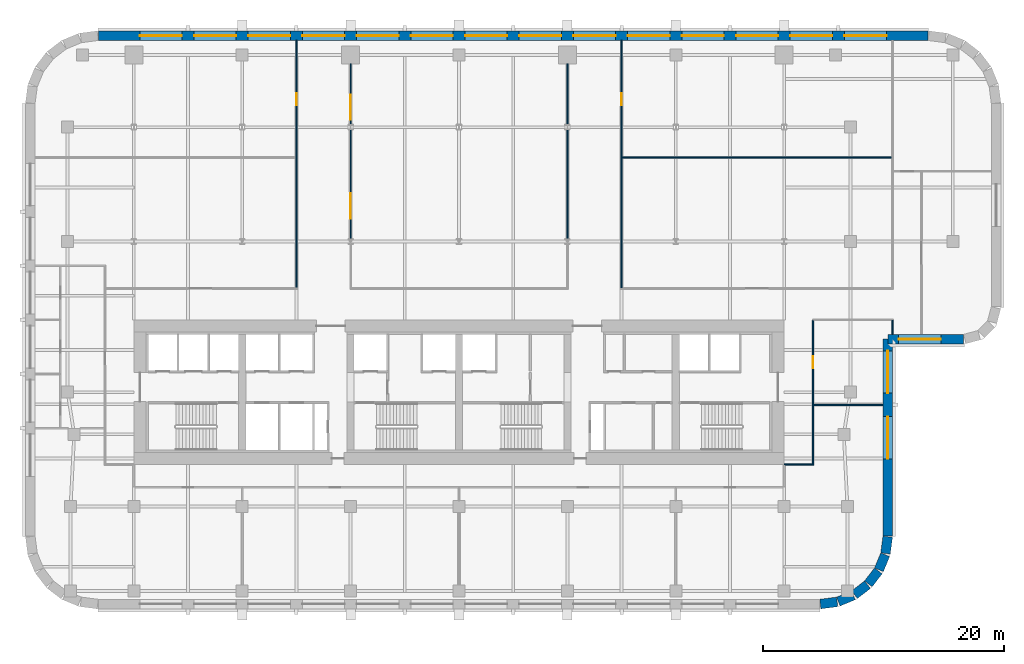
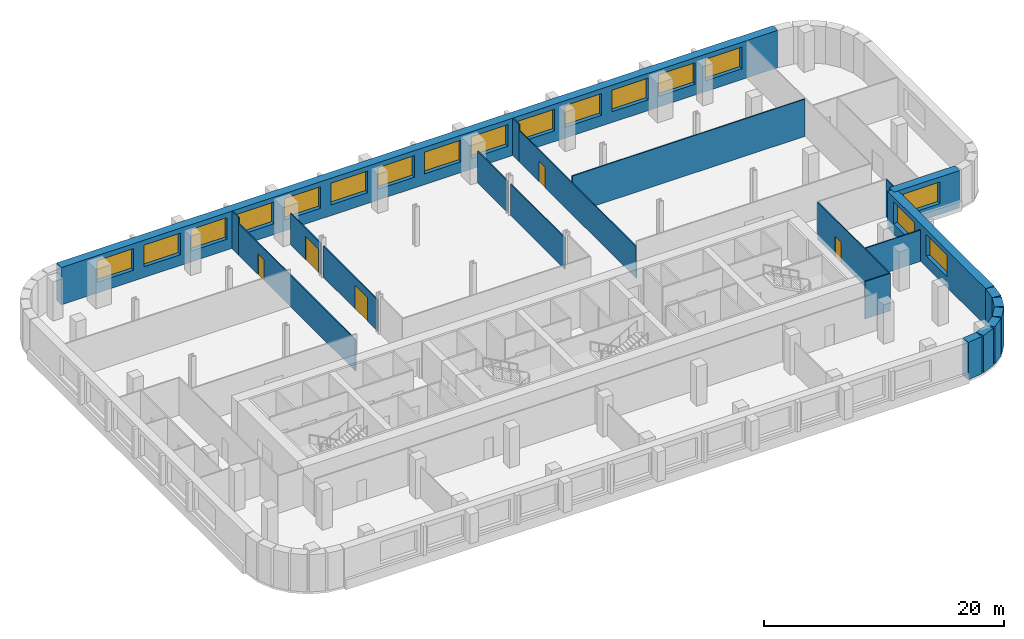
# One storey, part 6 of 9: 22 walls, 17 windows, 5 doors, 22 openings.
"""IFC4 building model written with IfcOpenShell, lengths in metres."""

import ifcopenshell
import ifcopenshell.guid

model = None  # the IFC model being written
_history = None  # IfcOwnerHistory: only IFC2X3 demands one
_inside = {}  # id of a spatial element -> (the spatial element, [elements in it])
_under = {}  # id of a project, library or spatial element -> (it, [spatial elements below it])
_declared = {}  # id of a project -> (the project, [libraries it declares])
_typed = {}  # id of a type object -> (the type object, [elements of that type])
_made_of = {}  # id of a material, layer set ... -> (it, [elements and type objects made of it])


def new_model(schema):
    """Start an empty IFC model of exactly this schema.

    Asked for "IFC4X3", IfcOpenShell would pick the latest addendum, in which some entities
    have other attributes; the version numbers below select the first issue.
    IFC2X3 requires an IfcOwnerHistory on every rooted entity: one is made here for all.
    """
    global model, _history
    if schema == "IFC4X3":
        model = ifcopenshell.file(schema_version=(4, 3, 0, 0))
    else:
        model = ifcopenshell.file(schema=schema)
    _inside.clear()
    _under.clear()
    _declared.clear()
    _typed.clear()
    _made_of.clear()
    _history = None
    if model.schema == "IFC2X3":
        org = make("IfcOrganization", Name="unknown")
        user = make(
            "IfcPersonAndOrganization",
            ThePerson=make("IfcPerson", FamilyName="unknown"),
            TheOrganization=org,
        )
        app = make(
            "IfcApplication",
            ApplicationDeveloper=org,
            Version="unknown",
            ApplicationFullName="unknown",
            ApplicationIdentifier="unknown",
        )
        _history = make(
            "IfcOwnerHistory",
            OwningUser=user,
            OwningApplication=app,
            ChangeAction="ADDED",
            CreationDate=0,
        )
    return model


def make(cls, **values):
    """One entity of the class cls with the attributes given. An attribute that is None is left unset."""
    return model.create_entity(
        cls, **{name: value for name, value in values.items() if value is not None}
    )


def rooted(cls, **values):
    """An entity with a GlobalId (a new one), such as an element, a storey or a relation."""
    return make(cls, GlobalId=ifcopenshell.guid.new(), OwnerHistory=_history, **values)


def si_unit(unit_type, name, prefix=None):
    """IfcSIUnit, for example si_unit("LENGTHUNIT", "METRE", prefix="MILLI")."""
    return make("IfcSIUnit", UnitType=unit_type, Prefix=prefix, Name=name)


def assignment(units):
    """IfcUnitAssignment: the units of a project."""
    return None if units is None else make("IfcUnitAssignment", Units=units)


def point(xyz):
    """IfcCartesianPoint."""
    return None if xyz is None else make("IfcCartesianPoint", Coordinates=xyz)


def direction(xyz):
    """IfcDirection."""
    return None if xyz is None else make("IfcDirection", DirectionRatios=xyz)


def frame(location, z_axis=None, x_axis=None):
    """IfcAxis2Placement3D, a coordinate frame: its origin and axes. An axis left out is left unset."""
    return make(
        "IfcAxis2Placement3D",
        Location=point(location),
        Axis=direction(z_axis),
        RefDirection=direction(x_axis),
    )


def frame_2d(location, x_axis=None):
    """IfcAxis2Placement2D, a coordinate frame in the plane: its origin and x axis."""
    return make(
        "IfcAxis2Placement2D", Location=point(location), RefDirection=direction(x_axis)
    )


def origin():
    """The frame at (0, 0, 0) with its axes left unset."""
    return frame((0.0, 0.0, 0.0))


def place(relative_to, where):
    """IfcLocalPlacement: puts the frame where relative to a parent placement (None: the world)."""
    return make(
        "IfcLocalPlacement", PlacementRelTo=relative_to, RelativePlacement=where
    )


def context(
    kind, dimensions, precision=None, world=None, true_north=None, identifier=None
):
    """IfcGeometricRepresentationContext, for example the 3D "Model" context."""
    return make(
        "IfcGeometricRepresentationContext",
        ContextIdentifier=identifier,
        ContextType=kind,
        CoordinateSpaceDimension=dimensions,
        Precision=precision,
        WorldCoordinateSystem=world,
        TrueNorth=true_north,
    )


def subcontext(parent, identifier, kind, view, scale=None):
    """IfcGeometricRepresentationSubContext, for example "Body" below "Model"."""
    return make(
        "IfcGeometricRepresentationSubContext",
        ContextIdentifier=identifier,
        ContextType=kind,
        ParentContext=parent,
        TargetScale=scale,
        TargetView=view,
    )


def project(units=None, contexts=None):
    """IfcProject with its units and contexts."""
    return rooted(
        "IfcProject",
        Name="project",
        RepresentationContexts=contexts,
        UnitsInContext=assignment(units),
    )


def spatial(cls, under=None, at=None, **own):
    """A site, building, storey or space (cls), placed at a placement, below another one or the project."""
    s = rooted(cls, ObjectPlacement=at, **own)
    if under is not None:
        _under.setdefault(under.id(), (under, []))[1].append(s)
    return s


def profile(cls, at=None, kind="AREA", **sizes):
    """A parametric profile (cls). Its sizes go by their IFC names, for example OverallWidth=200.0."""
    return make(cls, ProfileType=kind, Position=at, **sizes)


def rectangle(**sizes):
    """IfcRectangleProfileDef."""
    return profile("IfcRectangleProfileDef", **sizes)


def extrude(swept, where, along, depth):
    """IfcExtrudedAreaSolid: the profile swept, set in the frame where, extruded along a direction by depth."""
    return make(
        "IfcExtrudedAreaSolid",
        SweptArea=swept,
        Position=where,
        ExtrudedDirection=direction(along),
        Depth=depth,
    )


def shape(context_of_items, identifier, shape_type, items):
    """IfcShapeRepresentation: the items that make up one representation, for example the "Body"."""
    return make(
        "IfcShapeRepresentation",
        ContextOfItems=context_of_items,
        RepresentationIdentifier=identifier,
        RepresentationType=shape_type,
        Items=items,
    )


def material(Name=None, Category=None):
    """IfcMaterial."""
    return make("IfcMaterial", Name=Name, Category=Category)


def layer(
    of_material, thickness, ventilated=None, Name=None, Category=None, Priority=None
):
    """IfcMaterialLayer: one layer of a wall or slab, of a material (None: an air gap)."""
    return make(
        "IfcMaterialLayer",
        Material=of_material,
        LayerThickness=thickness,
        IsVentilated=ventilated,
        Name=Name,
        Category=Category,
        Priority=Priority,
    )


def layer_set(layers, Name=None):
    """IfcMaterialLayerSet."""
    return make("IfcMaterialLayerSet", MaterialLayers=layers, LayerSetName=Name)


def made_of(thing, what):
    """Note that an element or type object is made of a material, layer set ...; save() writes the relation."""
    if what is not None:
        _made_of.setdefault(what.id(), (what, []))[1].append(thing)
    return thing


def type_object(cls, material=None, **own):
    """A type object (cls), such as IfcWallType, which elements share."""
    return made_of(rooted(cls, **own), material)


def element(
    cls,
    number,
    at=None,
    inside=None,
    cuts=None,
    type_object=None,
    material=None,
    context=None,
    identifier="Body",
    shape_type=None,
    held_by="IfcProductDefinitionShape",
    body=None,
    shapes=None,
    **own,
):
    """One element of the class cls, such as IfcWall. Its Tag is "e" and its number.

    at: its placement. inside: the storey or other place that contains it. cuts: it is an
    opening in that element (IfcRelVoidsElement). A single representation is given by context,
    identifier, shape_type and body (its items); several are given by shapes. held_by: the class
    of the entity that holds the representations. save() writes the other relations.
    """
    e = rooted(cls, Tag="e%d" % number, ObjectPlacement=at, **own)
    if body is not None:
        shapes = [shape(context, identifier, shape_type, body)]
    if shapes is not None:
        e.Representation = make(held_by, Representations=shapes)
    if inside is not None:
        _inside.setdefault(inside.id(), (inside, []))[1].append(e)
    if cuts is not None:
        rooted(
            "IfcRelVoidsElement", RelatingBuildingElement=cuts, RelatedOpeningElement=e
        )
    if type_object is not None:
        _typed.setdefault(type_object.id(), (type_object, []))[1].append(e)
    return made_of(e, material)


def fill(opening, filler):
    """IfcRelFillsElement: the door or window that sits in an opening."""
    return rooted(
        "IfcRelFillsElement",
        RelatingOpeningElement=opening,
        RelatedBuildingElement=filler,
    )


def aggregate(whole, parts):
    """IfcRelAggregates: a whole, such as a stair, and the parts it consists of."""
    return rooted("IfcRelAggregates", RelatingObject=whole, RelatedObjects=parts)


def save(model, path):
    """Write the relations noted so far, then the file.

    IfcRelAggregates (storeys below a building ...), IfcRelContainedInSpatialStructure (elements
    in a storey), IfcRelDefinesByType, IfcRelAssociatesMaterial and IfcRelDeclares: one each for
    every whole, place, type object, material and project.
    """
    for whole, parts in _under.values():
        aggregate(whole, parts)
    for where, things in _inside.values():
        rooted(
            "IfcRelContainedInSpatialStructure",
            RelatedElements=things,
            RelatingStructure=where,
        )
    for kind, things in _typed.values():
        rooted("IfcRelDefinesByType", RelatedObjects=things, RelatingType=kind)
    for what, things in _made_of.values():
        rooted("IfcRelAssociatesMaterial", RelatedObjects=things, RelatingMaterial=what)
    for by, libraries in _declared.values():
        rooted("IfcRelDeclares", RelatingContext=by, RelatedDefinitions=libraries)
    model.write(path)


model = new_model("IFC4")

# Units and contexts
model_context = context("Model", 3, precision=1e-05, world=origin(), true_north=direction((0.0, 1.0)))
body_context = subcontext(model_context, "Body", "Model", "MODEL_VIEW")
ifc_project = project(units=[si_unit("LENGTHUNIT", "METRE"), si_unit("AREAUNIT", "SQUARE_METRE"), si_unit("VOLUMEUNIT", "CUBIC_METRE"), si_unit("PLANEANGLEUNIT", "RADIAN"), si_unit("MASSUNIT", "GRAM", prefix="KILO")], contexts=[model_context])

# Site, building, storey
site_placement = place(None, origin())
site = spatial("IfcSite", under=ifc_project, at=site_placement, CompositionType="ELEMENT")
building_placement = place(site_placement, origin())
building = spatial("IfcBuilding", under=site, at=building_placement, Name="Zellij Exchange Tower", CompositionType="ELEMENT")
storey_placement = place(building_placement, frame((0.0, 0.0, 112.5)))
storey = spatial("IfcBuildingStorey", under=building, at=storey_placement, Name="L24", CompositionType="ELEMENT", Elevation=112.5)

# Walls
ifc_material_1 = material(Name="Precast concrete C40/50", Category="concrete")
ifc_layer_1 = layer(ifc_material_1, 0.800048828125)
ifc_layer_set_1 = layer_set([ifc_layer_1], Name="Precast concrete C40/50")
wall_type_1 = type_object("IfcWallType", Name="ENV-EW1 Precast stone-piered wall 800", PredefinedType="SOLIDWALL", material=ifc_layer_set_1)
wall_1_placement = place(storey_placement, frame((29.999755859375, -25.5966796875, 0.0), z_axis=(0.0, 0.0, 1.0), x_axis=(0.99144603414, 0.130517283865, 0.0)))
element("IfcWall", 1, at=wall_1_placement, inside=storey, type_object=wall_type_1, Name="fac.L24.01", PredefinedType="SOLIDWALL", context=body_context, shape_type="SweptSolid", body=[
    extrude(rectangle(XDim=1.408447265625, YDim=0.800048828125, at=frame_2d((0.7041015625, 0.0))), origin(), (0.0, 0.0, 1.0), 3.800048828125),
])
wall_2_placement = place(storey_placement, frame((31.497314453125, -25.3857421875, 0.0), z_axis=(0.0, 0.0, 1.0), x_axis=(0.923847774587, 0.38276009378, 0.0)))
element("IfcWall", 2, at=wall_2_placement, inside=storey, type_object=wall_type_1, Name="fac.L24.02", PredefinedType="SOLIDWALL", context=body_context, shape_type="SweptSolid", body=[
    extrude(rectangle(XDim=1.35546875, YDim=0.800048828125, at=frame_2d((0.677734375, 0.0))), origin(), (0.0, 0.0, 1.0), 3.800048828125),
])
for number, where, z_axis, x_axis, name in (
    (3, (32.840087890625, -24.814697265625, 0.0), (0.0, 0.0, 1.0), (0.793272915452, 0.608866226366, 0.0), "fac.L24.03"),
    (4, (33.9892578125, -23.91552734375, 0.0), (0.0, 0.0, 1.0), (0.608866226366, 0.793272915452, 0.0), "fac.L24.04"),
):
    element("IfcWall", number, at=place(storey_placement, frame(where, z_axis=z_axis, x_axis=x_axis)), inside=storey, type_object=wall_type_1, Name=name, PredefinedType="SOLIDWALL", context=body_context, shape_type="SweptSolid", body=[
        extrude(rectangle(XDim=1.355712890625, YDim=0.800048828125, at=frame_2d((0.677734375, 0.0))), origin(), (0.0, 0.0, 1.0), 3.800048828125),
    ])
wall_3_placement = place(storey_placement, frame((34.866943359375, -22.74951171875, 0.0), z_axis=(0.0, 0.0, 1.0), x_axis=(0.38276009378, 0.923847774587, 0.0)))
element("IfcWall", 5, at=wall_3_placement, inside=storey, type_object=wall_type_1, Name="fac.L24.05", PredefinedType="SOLIDWALL", context=body_context, shape_type="SweptSolid", body=[
    extrude(rectangle(XDim=1.35546875, YDim=0.800048828125, at=frame_2d((0.677734375, 0.0))), origin(), (0.0, 0.0, 1.0), 3.800048828125),
])
wall_4_placement = place(storey_placement, frame((35.412841796875, -21.396240234375, 0.0), z_axis=(0.0, 0.0, 1.0), x_axis=(0.130517283865, 0.99144603414, 0.0)))
element("IfcWall", 6, at=wall_4_placement, inside=storey, type_object=wall_type_1, Name="fac.L24.06", PredefinedType="SOLIDWALL", context=body_context, shape_type="SweptSolid", body=[
    extrude(rectangle(XDim=1.408447265625, YDim=0.800048828125, at=frame_2d((0.7041015625, 0.0))), origin(), (0.0, 0.0, 1.0), 3.800048828125),
])

# Wall, openings, windows
wall_5_placement = place(storey_placement, frame((35.60009765625, -19.947509765625, 0.0), z_axis=(0.0, 0.0, 1.0), x_axis=(0.0, 1.0, 0.0)))
wall_5 = element("IfcWall", 7, at=wall_5_placement, inside=storey, type_object=wall_type_1, Name="fac.L24.07", PredefinedType="SOLIDWALL", context=body_context, shape_type="SweptSolid", body=[
    extrude(rectangle(XDim=16.347412109375, YDim=0.800048828125, at=frame_2d((8.173828125, 0.0))), origin(), (0.0, 0.0, 1.0), 3.800048828125),
])
opening_1_placement = place(wall_5_placement, frame((6.41064453125, 0.0, 1.10009765625)))
opening_1 = element("IfcOpeningElement", 8, at=opening_1_placement, cuts=wall_5, Name="Opening FZ2.13", PredefinedType="OPENING", context=body_context, shape_type="SweptSolid", body=[
    extrude(rectangle(XDim=3.5, YDim=2.199951171875, at=frame_2d((1.75, 1.10009765625))), frame((0.0, 0.412109375, 0.0), z_axis=(0.0, -1.0, 0.0), x_axis=(1.0, 0.0, 0.0)), (0.0, 0.0, 1.0), 0.823974609375),
])
opening_2_placement = place(wall_5_placement, frame((11.86865234375, 0.0, 1.10009765625)))
opening_2 = element("IfcOpeningElement", 9, at=opening_2_placement, cuts=wall_5, Name="Opening FZ2.14", PredefinedType="OPENING", context=body_context, shape_type="SweptSolid", body=[
    extrude(rectangle(XDim=3.5, YDim=2.199951171875, at=frame_2d((1.75, 1.10009765625))), frame((0.0, 0.412109375, 0.0), z_axis=(0.0, -1.0, 0.0), x_axis=(1.0, 0.0, 0.0)), (0.0, 0.0, 1.0), 0.823974609375),
])
ifc_material_2 = material(Name="Aluminium frame with insulating glass", Category="aluminium")
window_type = type_object("IfcWindowType", Name="ENV-W7 Window 3500x2200", PartitioningType="SINGLE_PANEL", PredefinedType="WINDOW", material=ifc_material_2)
window_1_placement = place(opening_1_placement, origin())
window_1 = element("IfcWindow", 10, at=window_1_placement, inside=storey, type_object=window_type, Name="Window FZ2.13", OverallHeight=2.199951171875, OverallWidth=3.5, PartitioningType="SINGLE_PANEL", PredefinedType="WINDOW", context=body_context, shape_type="SweptSolid", body=[
    extrude(rectangle(XDim=3.5, YDim=2.199951171875, at=frame_2d((1.75, 1.10009765625))), frame((0.0, 0.030029296875, 0.0), z_axis=(0.0, -1.0, 0.0), x_axis=(1.0, 0.0, 0.0)), (0.0, 0.0, 1.0), 0.06005859375),
])
fill(opening_1, window_1)
window_2_placement = place(opening_2_placement, origin())
window_2 = element("IfcWindow", 11, at=window_2_placement, inside=storey, type_object=window_type, Name="Window FZ2.14", OverallHeight=2.199951171875, OverallWidth=3.5, PartitioningType="SINGLE_PANEL", PredefinedType="WINDOW", context=body_context, shape_type="SweptSolid", body=[
    extrude(rectangle(XDim=3.5, YDim=2.199951171875, at=frame_2d((1.75, 1.10009765625))), frame((0.0, 0.030029296875, 0.0), z_axis=(0.0, -1.0, 0.0), x_axis=(1.0, 0.0, 0.0)), (0.0, 0.0, 1.0), 0.06005859375),
])
fill(opening_2, window_2)

# Wall, opening, window
wall_6_placement = place(storey_placement, frame((35.60009765625, -3.60009765625, 0.0), z_axis=(0.0, 0.0, 1.0), x_axis=(1.0, 0.0, 0.0)))
wall_6 = element("IfcWall", 12, at=wall_6_placement, inside=storey, type_object=wall_type_1, Name="fac.L24.08", PredefinedType="SOLIDWALL", context=body_context, shape_type="SweptSolid", body=[
    extrude(rectangle(XDim=6.29443359375, YDim=0.800048828125, at=frame_2d((3.147216796875, 0.0))), origin(), (0.0, 0.0, 1.0), 3.800048828125),
])
opening_3_placement = place(wall_6_placement, frame((0.89990234375, 0.0, 1.10009765625)))
opening_3 = element("IfcOpeningElement", 13, at=opening_3_placement, cuts=wall_6, Name="Opening FZ2.15", PredefinedType="OPENING", context=body_context, shape_type="SweptSolid", body=[
    extrude(rectangle(XDim=3.5, YDim=2.199951171875, at=frame_2d((1.75, 1.10009765625))), frame((0.0, 0.412109375, 0.0), z_axis=(0.0, -1.0, 0.0), x_axis=(1.0, 0.0, 0.0)), (0.0, 0.0, 1.0), 0.823974609375),
])
window_3_placement = place(opening_3_placement, origin())
window_3 = element("IfcWindow", 14, at=window_3_placement, inside=storey, type_object=window_type, Name="Window FZ2.15", OverallHeight=2.199951171875, OverallWidth=3.5, PartitioningType="SINGLE_PANEL", PredefinedType="WINDOW", context=body_context, shape_type="SweptSolid", body=[
    extrude(rectangle(XDim=3.5, YDim=2.199951171875, at=frame_2d((1.75, 1.10009765625))), frame((0.0, 0.030029296875, 0.0), z_axis=(0.0, -1.0, 0.0), x_axis=(1.0, 0.0, 0.0)), (0.0, 0.0, 1.0), 0.06005859375),
])
fill(opening_3, window_3)

# Wall, openings, windows
wall_7_placement = place(storey_placement, frame((38.947509765625, 21.60009765625, 0.0), z_axis=(0.0, 0.0, 1.0), x_axis=(-1.0, 0.0, 0.0)))
wall_7 = element("IfcWall", 15, at=wall_7_placement, inside=storey, type_object=wall_type_1, Name="fac.L24.19", PredefinedType="SOLIDWALL", context=body_context, shape_type="SweptSolid", body=[
    extrude(rectangle(XDim=68.89501953125, YDim=0.800048828125, at=frame_2d((34.447509765625, 0.0))), origin(), (0.0, 0.0, 1.0), 3.800048828125),
])
opening_4_placement = place(wall_7_placement, frame((3.447509765625, 0.0, 1.10009765625)))
opening_4 = element("IfcOpeningElement", 16, at=opening_4_placement, cuts=wall_7, Name="Opening FZ2.17", PredefinedType="OPENING", context=body_context, shape_type="SweptSolid", body=[
    extrude(rectangle(XDim=3.5, YDim=2.199951171875, at=frame_2d((1.75, 1.10009765625))), frame((0.0, 0.412109375, 0.0), z_axis=(0.0, -1.0, 0.0), x_axis=(1.0, 0.0, 0.0)), (0.0, 0.0, 1.0), 0.823974609375),
])
opening_5_placement = place(wall_7_placement, frame((7.947509765625, 0.0, 1.10009765625)))
opening_5 = element("IfcOpeningElement", 17, at=opening_5_placement, cuts=wall_7, Name="Opening FZ2.18", PredefinedType="OPENING", context=body_context, shape_type="SweptSolid", body=[
    extrude(rectangle(XDim=3.5, YDim=2.199951171875, at=frame_2d((1.75, 1.10009765625))), frame((0.0, 0.412109375, 0.0), z_axis=(0.0, -1.0, 0.0), x_axis=(1.0, 0.0, 0.0)), (0.0, 0.0, 1.0), 0.823974609375),
])
opening_6_placement = place(wall_7_placement, frame((12.447509765625, 0.0, 1.10009765625)))
opening_6 = element("IfcOpeningElement", 18, at=opening_6_placement, cuts=wall_7, Name="Opening FZ2.19", PredefinedType="OPENING", context=body_context, shape_type="SweptSolid", body=[
    extrude(rectangle(XDim=3.5, YDim=2.199951171875, at=frame_2d((1.75, 1.10009765625))), frame((0.0, 0.412109375, 0.0), z_axis=(0.0, -1.0, 0.0), x_axis=(1.0, 0.0, 0.0)), (0.0, 0.0, 1.0), 0.823974609375),
])
opening_7_placement = place(wall_7_placement, frame((16.947509765625, 0.0, 1.10009765625)))
opening_7 = element("IfcOpeningElement", 19, at=opening_7_placement, cuts=wall_7, Name="Opening FZ2.20", PredefinedType="OPENING", context=body_context, shape_type="SweptSolid", body=[
    extrude(rectangle(XDim=3.5, YDim=2.199951171875, at=frame_2d((1.75, 1.10009765625))), frame((0.0, 0.412109375, 0.0), z_axis=(0.0, -1.0, 0.0), x_axis=(1.0, 0.0, 0.0)), (0.0, 0.0, 1.0), 0.823974609375),
])
opening_8_placement = place(wall_7_placement, frame((21.447509765625, 0.0, 1.10009765625)))
opening_8 = element("IfcOpeningElement", 20, at=opening_8_placement, cuts=wall_7, Name="Opening FZ2.21", PredefinedType="OPENING", context=body_context, shape_type="SweptSolid", body=[
    extrude(rectangle(XDim=3.5, YDim=2.199951171875, at=frame_2d((1.75, 1.10009765625))), frame((0.0, 0.412109375, 0.0), z_axis=(0.0, -1.0, 0.0), x_axis=(1.0, 0.0, 0.0)), (0.0, 0.0, 1.0), 0.823974609375),
])
opening_9_placement = place(wall_7_placement, frame((25.947509765625, 0.0, 1.10009765625)))
opening_9 = element("IfcOpeningElement", 21, at=opening_9_placement, cuts=wall_7, Name="Opening FZ2.22", PredefinedType="OPENING", context=body_context, shape_type="SweptSolid", body=[
    extrude(rectangle(XDim=3.5, YDim=2.199951171875, at=frame_2d((1.75, 1.10009765625))), frame((0.0, 0.412109375, 0.0), z_axis=(0.0, -1.0, 0.0), x_axis=(1.0, 0.0, 0.0)), (0.0, 0.0, 1.0), 0.823974609375),
])
opening_10_placement = place(wall_7_placement, frame((30.447509765625, 0.0, 1.10009765625)))
opening_10 = element("IfcOpeningElement", 22, at=opening_10_placement, cuts=wall_7, Name="Opening FZ2.23", PredefinedType="OPENING", context=body_context, shape_type="SweptSolid", body=[
    extrude(rectangle(XDim=3.5, YDim=2.199951171875, at=frame_2d((1.75, 1.10009765625))), frame((0.0, 0.412109375, 0.0), z_axis=(0.0, -1.0, 0.0), x_axis=(1.0, 0.0, 0.0)), (0.0, 0.0, 1.0), 0.823974609375),
])
opening_11_placement = place(wall_7_placement, frame((34.947509765625, 0.0, 1.10009765625)))
opening_11 = element("IfcOpeningElement", 23, at=opening_11_placement, cuts=wall_7, Name="Opening FZ2.24", PredefinedType="OPENING", context=body_context, shape_type="SweptSolid", body=[
    extrude(rectangle(XDim=3.5, YDim=2.199951171875, at=frame_2d((1.75, 1.10009765625))), frame((0.0, 0.412109375, 0.0), z_axis=(0.0, -1.0, 0.0), x_axis=(1.0, 0.0, 0.0)), (0.0, 0.0, 1.0), 0.823974609375),
])
opening_12_placement = place(wall_7_placement, frame((39.447509765625, 0.0, 1.10009765625)))
opening_12 = element("IfcOpeningElement", 24, at=opening_12_placement, cuts=wall_7, Name="Opening FZ2.25", PredefinedType="OPENING", context=body_context, shape_type="SweptSolid", body=[
    extrude(rectangle(XDim=3.5, YDim=2.199951171875, at=frame_2d((1.75, 1.10009765625))), frame((0.0, 0.412109375, 0.0), z_axis=(0.0, -1.0, 0.0), x_axis=(1.0, 0.0, 0.0)), (0.0, 0.0, 1.0), 0.823974609375),
])
opening_13_placement = place(wall_7_placement, frame((43.947509765625, 0.0, 1.10009765625)))
opening_13 = element("IfcOpeningElement", 25, at=opening_13_placement, cuts=wall_7, Name="Opening FZ2.26", PredefinedType="OPENING", context=body_context, shape_type="SweptSolid", body=[
    extrude(rectangle(XDim=3.5, YDim=2.199951171875, at=frame_2d((1.75, 1.10009765625))), frame((0.0, 0.412109375, 0.0), z_axis=(0.0, -1.0, 0.0), x_axis=(1.0, 0.0, 0.0)), (0.0, 0.0, 1.0), 0.823974609375),
])
opening_14_placement = place(wall_7_placement, frame((48.447509765625, 0.0, 1.10009765625)))
opening_14 = element("IfcOpeningElement", 26, at=opening_14_placement, cuts=wall_7, Name="Opening FZ2.27", PredefinedType="OPENING", context=body_context, shape_type="SweptSolid", body=[
    extrude(rectangle(XDim=3.5, YDim=2.199951171875, at=frame_2d((1.75, 1.10009765625))), frame((0.0, 0.412109375, 0.0), z_axis=(0.0, -1.0, 0.0), x_axis=(1.0, 0.0, 0.0)), (0.0, 0.0, 1.0), 0.823974609375),
])
opening_15_placement = place(wall_7_placement, frame((52.947509765625, 0.0, 1.10009765625)))
opening_15 = element("IfcOpeningElement", 27, at=opening_15_placement, cuts=wall_7, Name="Opening FZ2.28", PredefinedType="OPENING", context=body_context, shape_type="SweptSolid", body=[
    extrude(rectangle(XDim=3.5, YDim=2.199951171875, at=frame_2d((1.75, 1.10009765625))), frame((0.0, 0.412109375, 0.0), z_axis=(0.0, -1.0, 0.0), x_axis=(1.0, 0.0, 0.0)), (0.0, 0.0, 1.0), 0.823974609375),
])
opening_16_placement = place(wall_7_placement, frame((57.447509765625, 0.0, 1.10009765625)))
opening_16 = element("IfcOpeningElement", 28, at=opening_16_placement, cuts=wall_7, Name="Opening FZ2.29", PredefinedType="OPENING", context=body_context, shape_type="SweptSolid", body=[
    extrude(rectangle(XDim=3.5, YDim=2.199951171875, at=frame_2d((1.75, 1.10009765625))), frame((0.0, 0.412109375, 0.0), z_axis=(0.0, -1.0, 0.0), x_axis=(1.0, 0.0, 0.0)), (0.0, 0.0, 1.0), 0.823974609375),
])
opening_17_placement = place(wall_7_placement, frame((61.947509765625, 0.0, 1.10009765625)))
opening_17 = element("IfcOpeningElement", 29, at=opening_17_placement, cuts=wall_7, Name="Opening FZ2.30", PredefinedType="OPENING", context=body_context, shape_type="SweptSolid", body=[
    extrude(rectangle(XDim=3.5, YDim=2.199951171875, at=frame_2d((1.75, 1.10009765625))), frame((0.0, 0.412109375, 0.0), z_axis=(0.0, -1.0, 0.0), x_axis=(1.0, 0.0, 0.0)), (0.0, 0.0, 1.0), 0.823974609375),
])
window_4_placement = place(opening_4_placement, origin())
window_4 = element("IfcWindow", 30, at=window_4_placement, inside=storey, type_object=window_type, Name="Window FZ2.17", OverallHeight=2.199951171875, OverallWidth=3.5, PartitioningType="SINGLE_PANEL", PredefinedType="WINDOW", context=body_context, shape_type="SweptSolid", body=[
    extrude(rectangle(XDim=3.5, YDim=2.199951171875, at=frame_2d((1.75, 1.10009765625))), frame((0.0, 0.030029296875, 0.0), z_axis=(0.0, -1.0, 0.0), x_axis=(1.0, 0.0, 0.0)), (0.0, 0.0, 1.0), 0.06005859375),
])
fill(opening_4, window_4)
window_5_placement = place(opening_5_placement, origin())
window_5 = element("IfcWindow", 31, at=window_5_placement, inside=storey, type_object=window_type, Name="Window FZ2.18", OverallHeight=2.199951171875, OverallWidth=3.5, PartitioningType="SINGLE_PANEL", PredefinedType="WINDOW", context=body_context, shape_type="SweptSolid", body=[
    extrude(rectangle(XDim=3.5, YDim=2.199951171875, at=frame_2d((1.75, 1.10009765625))), frame((0.0, 0.030029296875, 0.0), z_axis=(0.0, -1.0, 0.0), x_axis=(1.0, 0.0, 0.0)), (0.0, 0.0, 1.0), 0.06005859375),
])
fill(opening_5, window_5)
window_6_placement = place(opening_6_placement, origin())
window_6 = element("IfcWindow", 32, at=window_6_placement, inside=storey, type_object=window_type, Name="Window FZ2.19", OverallHeight=2.199951171875, OverallWidth=3.5, PartitioningType="SINGLE_PANEL", PredefinedType="WINDOW", context=body_context, shape_type="SweptSolid", body=[
    extrude(rectangle(XDim=3.5, YDim=2.199951171875, at=frame_2d((1.75, 1.10009765625))), frame((0.0, 0.030029296875, 0.0), z_axis=(0.0, -1.0, 0.0), x_axis=(1.0, 0.0, 0.0)), (0.0, 0.0, 1.0), 0.06005859375),
])
fill(opening_6, window_6)
window_7_placement = place(opening_7_placement, origin())
window_7 = element("IfcWindow", 33, at=window_7_placement, inside=storey, type_object=window_type, Name="Window FZ2.20", OverallHeight=2.199951171875, OverallWidth=3.5, PartitioningType="SINGLE_PANEL", PredefinedType="WINDOW", context=body_context, shape_type="SweptSolid", body=[
    extrude(rectangle(XDim=3.5, YDim=2.199951171875, at=frame_2d((1.75, 1.10009765625))), frame((0.0, 0.030029296875, 0.0), z_axis=(0.0, -1.0, 0.0), x_axis=(1.0, 0.0, 0.0)), (0.0, 0.0, 1.0), 0.06005859375),
])
fill(opening_7, window_7)
window_8_placement = place(opening_8_placement, origin())
window_8 = element("IfcWindow", 34, at=window_8_placement, inside=storey, type_object=window_type, Name="Window FZ2.21", OverallHeight=2.199951171875, OverallWidth=3.5, PartitioningType="SINGLE_PANEL", PredefinedType="WINDOW", context=body_context, shape_type="SweptSolid", body=[
    extrude(rectangle(XDim=3.5, YDim=2.199951171875, at=frame_2d((1.75, 1.10009765625))), frame((0.0, 0.030029296875, 0.0), z_axis=(0.0, -1.0, 0.0), x_axis=(1.0, 0.0, 0.0)), (0.0, 0.0, 1.0), 0.06005859375),
])
fill(opening_8, window_8)
window_9_placement = place(opening_9_placement, origin())
window_9 = element("IfcWindow", 35, at=window_9_placement, inside=storey, type_object=window_type, Name="Window FZ2.22", OverallHeight=2.199951171875, OverallWidth=3.5, PartitioningType="SINGLE_PANEL", PredefinedType="WINDOW", context=body_context, shape_type="SweptSolid", body=[
    extrude(rectangle(XDim=3.5, YDim=2.199951171875, at=frame_2d((1.75, 1.10009765625))), frame((0.0, 0.030029296875, 0.0), z_axis=(0.0, -1.0, 0.0), x_axis=(1.0, 0.0, 0.0)), (0.0, 0.0, 1.0), 0.06005859375),
])
fill(opening_9, window_9)
window_10_placement = place(opening_10_placement, origin())
window_10 = element("IfcWindow", 36, at=window_10_placement, inside=storey, type_object=window_type, Name="Window FZ2.23", OverallHeight=2.199951171875, OverallWidth=3.5, PartitioningType="SINGLE_PANEL", PredefinedType="WINDOW", context=body_context, shape_type="SweptSolid", body=[
    extrude(rectangle(XDim=3.5, YDim=2.199951171875, at=frame_2d((1.75, 1.10009765625))), frame((0.0, 0.030029296875, 0.0), z_axis=(0.0, -1.0, 0.0), x_axis=(1.0, 0.0, 0.0)), (0.0, 0.0, 1.0), 0.06005859375),
])
fill(opening_10, window_10)
window_11_placement = place(opening_11_placement, origin())
window_11 = element("IfcWindow", 37, at=window_11_placement, inside=storey, type_object=window_type, Name="Window FZ2.24", OverallHeight=2.199951171875, OverallWidth=3.5, PartitioningType="SINGLE_PANEL", PredefinedType="WINDOW", context=body_context, shape_type="SweptSolid", body=[
    extrude(rectangle(XDim=3.5, YDim=2.199951171875, at=frame_2d((1.75, 1.10009765625))), frame((0.0, 0.030029296875, 0.0), z_axis=(0.0, -1.0, 0.0), x_axis=(1.0, 0.0, 0.0)), (0.0, 0.0, 1.0), 0.06005859375),
])
fill(opening_11, window_11)
window_12_placement = place(opening_12_placement, origin())
window_12 = element("IfcWindow", 38, at=window_12_placement, inside=storey, type_object=window_type, Name="Window FZ2.25", OverallHeight=2.199951171875, OverallWidth=3.5, PartitioningType="SINGLE_PANEL", PredefinedType="WINDOW", context=body_context, shape_type="SweptSolid", body=[
    extrude(rectangle(XDim=3.5, YDim=2.199951171875, at=frame_2d((1.75, 1.10009765625))), frame((0.0, 0.030029296875, 0.0), z_axis=(0.0, -1.0, 0.0), x_axis=(1.0, 0.0, 0.0)), (0.0, 0.0, 1.0), 0.06005859375),
])
fill(opening_12, window_12)
window_13_placement = place(opening_13_placement, origin())
window_13 = element("IfcWindow", 39, at=window_13_placement, inside=storey, type_object=window_type, Name="Window FZ2.26", OverallHeight=2.199951171875, OverallWidth=3.5, PartitioningType="SINGLE_PANEL", PredefinedType="WINDOW", context=body_context, shape_type="SweptSolid", body=[
    extrude(rectangle(XDim=3.5, YDim=2.199951171875, at=frame_2d((1.75, 1.10009765625))), frame((0.0, 0.030029296875, 0.0), z_axis=(0.0, -1.0, 0.0), x_axis=(1.0, 0.0, 0.0)), (0.0, 0.0, 1.0), 0.06005859375),
])
fill(opening_13, window_13)
window_14_placement = place(opening_14_placement, origin())
window_14 = element("IfcWindow", 40, at=window_14_placement, inside=storey, type_object=window_type, Name="Window FZ2.27", OverallHeight=2.199951171875, OverallWidth=3.5, PartitioningType="SINGLE_PANEL", PredefinedType="WINDOW", context=body_context, shape_type="SweptSolid", body=[
    extrude(rectangle(XDim=3.5, YDim=2.199951171875, at=frame_2d((1.75, 1.10009765625))), frame((0.0, 0.030029296875, 0.0), z_axis=(0.0, -1.0, 0.0), x_axis=(1.0, 0.0, 0.0)), (0.0, 0.0, 1.0), 0.06005859375),
])
fill(opening_14, window_14)
window_15_placement = place(opening_15_placement, origin())
window_15 = element("IfcWindow", 41, at=window_15_placement, inside=storey, type_object=window_type, Name="Window FZ2.28", OverallHeight=2.199951171875, OverallWidth=3.5, PartitioningType="SINGLE_PANEL", PredefinedType="WINDOW", context=body_context, shape_type="SweptSolid", body=[
    extrude(rectangle(XDim=3.5, YDim=2.199951171875, at=frame_2d((1.75, 1.10009765625))), frame((0.0, 0.030029296875, 0.0), z_axis=(0.0, -1.0, 0.0), x_axis=(1.0, 0.0, 0.0)), (0.0, 0.0, 1.0), 0.06005859375),
])
fill(opening_15, window_15)
window_16_placement = place(opening_16_placement, origin())
window_16 = element("IfcWindow", 42, at=window_16_placement, inside=storey, type_object=window_type, Name="Window FZ2.29", OverallHeight=2.199951171875, OverallWidth=3.5, PartitioningType="SINGLE_PANEL", PredefinedType="WINDOW", context=body_context, shape_type="SweptSolid", body=[
    extrude(rectangle(XDim=3.5, YDim=2.199951171875, at=frame_2d((1.75, 1.10009765625))), frame((0.0, 0.030029296875, 0.0), z_axis=(0.0, -1.0, 0.0), x_axis=(1.0, 0.0, 0.0)), (0.0, 0.0, 1.0), 0.06005859375),
])
fill(opening_16, window_16)
window_17_placement = place(opening_17_placement, origin())
window_17 = element("IfcWindow", 43, at=window_17_placement, inside=storey, type_object=window_type, Name="Window FZ2.30", OverallHeight=2.199951171875, OverallWidth=3.5, PartitioningType="SINGLE_PANEL", PredefinedType="WINDOW", context=body_context, shape_type="SweptSolid", body=[
    extrude(rectangle(XDim=3.5, YDim=2.199951171875, at=frame_2d((1.75, 1.10009765625))), frame((0.0, 0.030029296875, 0.0), z_axis=(0.0, -1.0, 0.0), x_axis=(1.0, 0.0, 0.0)), (0.0, 0.0, 1.0), 0.06005859375),
])
fill(opening_17, window_17)

# Wall
ifc_material_3 = material(Name="Gypsum board partition on steel studs", Category="steel")
ifc_layer_2 = layer(ifc_material_3, 0.10009765625)
ifc_layer_set_2 = layer_set([ifc_layer_2], Name="Gypsum board partition on steel studs")
wall_type_2 = type_object("IfcWallType", Name="FIT-PARTITION-100", PredefinedType="PARTITIONING", material=ifc_layer_set_2)
wall_8_placement = place(storey_placement, frame((27.0, -14.0, 0.0), z_axis=(0.0, 0.0, 1.0), x_axis=(1.0, 0.0, 0.0)))
element("IfcWall", 44, at=wall_8_placement, inside=storey, type_object=wall_type_2, Name="FIT-PARTITION-100 012", PredefinedType="PARTITIONING", context=body_context, shape_type="SweptSolid", body=[
    extrude(rectangle(XDim=2.449951171875, YDim=0.10009765625, at=frame_2d((1.22509765625, 0.0))), origin(), (0.0, 0.0, 1.0), 3.800048828125),
])

# Wall, opening, door
wall_9_placement = place(storey_placement, frame((29.39990234375, -13.949951171875, 0.0), z_axis=(0.0, 0.0, 1.0), x_axis=(0.0, 1.0, 0.0)))
wall_9 = element("IfcWall", 45, at=wall_9_placement, inside=storey, type_object=wall_type_2, Name="FIT-PARTITION-100 013", PredefinedType="PARTITIONING", context=body_context, shape_type="SweptSolid", body=[
    extrude(rectangle(XDim=11.89990234375, YDim=0.10009765625, at=frame_2d((5.949951171875, 0.0))), origin(), (0.0, 0.0, 1.0), 3.800048828125),
])
opening_18_placement = place(wall_9_placement, frame((7.93994140625, 0.0, 0.0)))
opening_18 = element("IfcOpeningElement", 46, at=opening_18_placement, cuts=wall_9, Name="Opening TE.06", PredefinedType="OPENING", context=body_context, shape_type="SweptSolid", body=[
    extrude(rectangle(XDim=1.0, YDim=2.10009765625, at=frame_2d((0.5, 1.050048828125))), frame((0.0, 0.06201171875, 0.0), z_axis=(0.0, -1.0, 0.0), x_axis=(1.0, 0.0, 0.0)), (0.0, 0.0, 1.0), 0.1240234375),
])
ifc_material_4 = material(Name="Timber door set", Category="wood")
door_type_1 = type_object("IfcDoorType", Name="FIT-D2-WIDE-1000X2100", OperationType="SINGLE_SWING_LEFT", PredefinedType="DOOR", material=ifc_material_4)
door_1_placement = place(opening_18_placement, origin())
door_1 = element("IfcDoor", 47, at=door_1_placement, inside=storey, type_object=door_type_1, Name="Door TE.06", OperationType="SINGLE_SWING_RIGHT", OverallHeight=2.10009765625, OverallWidth=1.0, PredefinedType="DOOR", context=body_context, shape_type="SweptSolid", body=[
    extrude(rectangle(XDim=1.0, YDim=2.10009765625, at=frame_2d((0.5, 1.050048828125))), frame((0.0, 0.02490234375, 0.0), z_axis=(0.0, -1.0, 0.0), x_axis=(1.0, 0.0, 0.0)), (0.0, 0.0, 1.0), 0.050048828125),
])
fill(opening_18, door_1)

# Walls
wall_10_placement = place(storey_placement, frame((29.449951171875, -9.06005859375, 0.0), z_axis=(0.0, 0.0, 1.0), x_axis=(1.0, 0.0, 0.0)))
element("IfcWall", 48, at=wall_10_placement, inside=storey, type_object=wall_type_2, Name="FIT-PARTITION-100 017", PredefinedType="PARTITIONING", context=body_context, shape_type="SweptSolid", body=[
    extrude(rectangle(XDim=5.75, YDim=0.10009765625, at=frame_2d((2.875, 0.0))), origin(), (0.0, 0.0, 1.0), 3.197998046875),
])
wall_11_placement = place(storey_placement, frame((36.0, -3.199951171875, 0.0), z_axis=(0.0, 0.0, 1.0), x_axis=(0.0, 1.0, 0.0)))
element("IfcWall", 49, at=wall_11_placement, inside=storey, type_object=wall_type_2, Name="FIT-PARTITION-100 019", PredefinedType="PARTITIONING", context=body_context, shape_type="SweptSolid", body=[
    extrude(rectangle(XDim=1.14990234375, YDim=0.10009765625, at=frame_2d((0.574951171875, 0.0))), origin(), (0.0, 0.0, 1.0), 3.800048828125),
])

# Wall, opening, door
wall_12_placement = place(storey_placement, frame((-13.5, 0.64990234375, 0.0), z_axis=(0.0, 0.0, 1.0), x_axis=(0.0, 1.0, 0.0)))
wall_12 = element("IfcWall", 50, at=wall_12_placement, inside=storey, type_object=wall_type_2, Name="FIT-PARTITION-100 024", PredefinedType="PARTITIONING", context=body_context, shape_type="SweptSolid", body=[
    extrude(rectangle(XDim=19.464599609375, YDim=0.10009765625, at=frame_2d((9.732421875, 0.0))), origin(), (0.0, 0.0, 1.0), 3.197998046875),
])
opening_19_placement = place(wall_12_placement, frame((15.179931640625, 0.0, 0.0)))
opening_19 = element("IfcOpeningElement", 51, at=opening_19_placement, cuts=wall_12, Name="Opening TE.16", PredefinedType="OPENING", context=body_context, shape_type="SweptSolid", body=[
    extrude(rectangle(XDim=1.0, YDim=2.10009765625, at=frame_2d((0.5, 1.050048828125))), frame((0.0, 0.06201171875, 0.0), z_axis=(0.0, -1.0, 0.0), x_axis=(1.0, 0.0, 0.0)), (0.0, 0.0, 1.0), 0.1240234375),
])
door_2_placement = place(opening_19_placement, origin())
door_2 = element("IfcDoor", 52, at=door_2_placement, inside=storey, type_object=door_type_1, Name="Door TE.16", OperationType="SINGLE_SWING_RIGHT", OverallHeight=2.10009765625, OverallWidth=1.0, PredefinedType="DOOR", context=body_context, shape_type="SweptSolid", body=[
    extrude(rectangle(XDim=1.0, YDim=2.10009765625, at=frame_2d((0.5, 1.050048828125))), frame((0.0, 0.02490234375, 0.0), z_axis=(0.0, -1.0, 0.0), x_axis=(1.0, 0.0, 0.0)), (0.0, 0.0, 1.0), 0.050048828125),
])
fill(opening_19, door_2)

# Wall
wall_13_placement = place(storey_placement, frame((-13.5, 20.114501953125, 0.0), z_axis=(0.0, 0.0, 1.0), x_axis=(0.0, 1.0, 0.0)))
element("IfcWall", 53, at=wall_13_placement, inside=storey, type_object=wall_type_2, Name="FIT-PARTITION-100 025", PredefinedType="PARTITIONING", context=body_context, shape_type="SweptSolid", body=[
    extrude(rectangle(XDim=1.08544921875, YDim=0.10009765625, at=frame_2d((0.542724609375, 0.0))), origin(), (0.0, 0.0, 1.0), 3.800048828125),
])

# Wall, opening, door
wall_14_placement = place(storey_placement, frame((-9.0, 4.727294921875, 0.0), z_axis=(0.0, 0.0, 1.0), x_axis=(0.0, 1.0, 0.0)))
wall_14 = element("IfcWall", 54, at=wall_14_placement, inside=storey, type_object=wall_type_2, Name="FIT-PARTITION-100 028", PredefinedType="PARTITIONING", context=body_context, shape_type="SweptSolid", body=[
    extrude(rectangle(XDim=9.04541015625, YDim=0.10009765625, at=frame_2d((4.522705078125, 0.0))), origin(), (0.0, 0.0, 1.0), 3.18798828125),
])
opening_20_placement = place(wall_14_placement, frame((1.672607421875, 0.0, 0.0)))
opening_20 = element("IfcOpeningElement", 55, at=opening_20_placement, cuts=wall_14, Name="Opening TE.13", PredefinedType="OPENING", context=body_context, shape_type="SweptSolid", body=[
    extrude(rectangle(XDim=2.10009765625, YDim=2.39990234375, at=frame_2d((1.050048828125, 1.199951171875))), frame((0.0, 0.06201171875, 0.0), z_axis=(0.0, -1.0, 0.0), x_axis=(1.0, 0.0, 0.0)), (0.0, 0.0, 1.0), 0.1240234375),
])
door_type_2 = type_object("IfcDoorType", Name="FIT-D7-ASSEMBLY-2100X2400", OperationType="DOUBLE_DOOR_SINGLE_SWING", PredefinedType="DOOR", material=ifc_material_4)
door_3_placement = place(opening_20_placement, origin())
door_3 = element("IfcDoor", 56, at=door_3_placement, inside=storey, type_object=door_type_2, Name="Door TE.13", OperationType="DOUBLE_DOOR_SINGLE_SWING", OverallHeight=2.39990234375, OverallWidth=2.10009765625, PredefinedType="DOOR", context=body_context, shape_type="SweptSolid", body=[
    extrude(rectangle(XDim=2.10009765625, YDim=2.39990234375, at=frame_2d((1.050048828125, 1.199951171875))), frame((0.0, 0.02490234375, 0.0), z_axis=(0.0, -1.0, 0.0), x_axis=(1.0, 0.0, 0.0)), (0.0, 0.0, 1.0), 0.050048828125),
])
fill(opening_20, door_3)

wall_15_placement = place(storey_placement, frame((-9.0, 14.227294921875, 0.0), z_axis=(0.0, 0.0, 1.0), x_axis=(0.0, 1.0, 0.0)))
wall_15 = element("IfcWall", 57, at=wall_15_placement, inside=storey, type_object=wall_type_2, Name="FIT-PARTITION-100 029", PredefinedType="PARTITIONING", context=body_context, shape_type="SweptSolid", body=[
    extrude(rectangle(XDim=5.022705078125, YDim=0.10009765625, at=frame_2d((2.51123046875, 0.0))), origin(), (0.0, 0.0, 1.0), 3.18798828125),
])
opening_21_placement = place(wall_15_placement, frame((0.37255859375, 0.0, 0.0)))
opening_21 = element("IfcOpeningElement", 58, at=opening_21_placement, cuts=wall_15, Name="Opening TE.15", PredefinedType="OPENING", context=body_context, shape_type="SweptSolid", body=[
    extrude(rectangle(XDim=2.10009765625, YDim=2.39990234375, at=frame_2d((1.050048828125, 1.199951171875))), frame((0.0, 0.06201171875, 0.0), z_axis=(0.0, -1.0, 0.0), x_axis=(1.0, 0.0, 0.0)), (0.0, 0.0, 1.0), 0.1240234375),
])
door_4_placement = place(opening_21_placement, origin())
door_4 = element("IfcDoor", 59, at=door_4_placement, inside=storey, type_object=door_type_2, Name="Door TE.15", OperationType="DOUBLE_DOOR_SINGLE_SWING", OverallHeight=2.39990234375, OverallWidth=2.10009765625, PredefinedType="DOOR", context=body_context, shape_type="SweptSolid", body=[
    extrude(rectangle(XDim=2.10009765625, YDim=2.39990234375, at=frame_2d((1.050048828125, 1.199951171875))), frame((0.0, 0.02490234375, 0.0), z_axis=(0.0, -1.0, 0.0), x_axis=(1.0, 0.0, 0.0)), (0.0, 0.0, 1.0), 0.050048828125),
])
fill(opening_21, door_4)

# Walls
wall_16_placement = place(storey_placement, frame((9.0, 4.727294921875, 0.0), z_axis=(0.0, 0.0, 1.0), x_axis=(0.0, 1.0, 0.0)))
element("IfcWall", 60, at=wall_16_placement, inside=storey, type_object=wall_type_2, Name="FIT-PARTITION-100 031", PredefinedType="PARTITIONING", context=body_context, shape_type="SweptSolid", body=[
    extrude(rectangle(XDim=9.04541015625, YDim=0.10009765625, at=frame_2d((4.522705078125, 0.0))), origin(), (0.0, 0.0, 1.0), 3.18798828125),
])
wall_17_placement = place(storey_placement, frame((9.0, 14.227294921875, 0.0), z_axis=(0.0, 0.0, 1.0), x_axis=(0.0, 1.0, 0.0)))
element("IfcWall", 61, at=wall_17_placement, inside=storey, type_object=wall_type_2, Name="FIT-PARTITION-100 032", PredefinedType="PARTITIONING", context=body_context, shape_type="SweptSolid", body=[
    extrude(rectangle(XDim=5.022705078125, YDim=0.10009765625, at=frame_2d((2.51123046875, 0.0))), origin(), (0.0, 0.0, 1.0), 3.18798828125),
])

# Wall, opening, door
wall_18_placement = place(storey_placement, frame((13.5, 0.64990234375, 0.0), z_axis=(0.0, 0.0, 1.0), x_axis=(0.0, 1.0, 0.0)))
wall_18 = element("IfcWall", 62, at=wall_18_placement, inside=storey, type_object=wall_type_2, Name="FIT-PARTITION-100 034", PredefinedType="PARTITIONING", context=body_context, shape_type="SweptSolid", body=[
    extrude(rectangle(XDim=19.464599609375, YDim=0.10009765625, at=frame_2d((9.732421875, 0.0))), origin(), (0.0, 0.0, 1.0), 3.197998046875),
])
opening_22_placement = place(wall_18_placement, frame((15.179931640625, 0.0, 0.0)))
opening_22 = element("IfcOpeningElement", 63, at=opening_22_placement, cuts=wall_18, Name="Opening TE.17", PredefinedType="OPENING", context=body_context, shape_type="SweptSolid", body=[
    extrude(rectangle(XDim=1.0, YDim=2.10009765625, at=frame_2d((0.5, 1.050048828125))), frame((0.0, 0.06201171875, 0.0), z_axis=(0.0, -1.0, 0.0), x_axis=(1.0, 0.0, 0.0)), (0.0, 0.0, 1.0), 0.1240234375),
])
door_5_placement = place(opening_22_placement, origin())
door_5 = element("IfcDoor", 64, at=door_5_placement, inside=storey, type_object=door_type_1, Name="Door TE.17", OperationType="SINGLE_SWING_LEFT", OverallHeight=2.10009765625, OverallWidth=1.0, PredefinedType="DOOR", context=body_context, shape_type="SweptSolid", body=[
    extrude(rectangle(XDim=1.0, YDim=2.10009765625, at=frame_2d((0.5, 1.050048828125))), frame((0.0, 0.02490234375, 0.0), z_axis=(0.0, -1.0, 0.0), x_axis=(1.0, 0.0, 0.0)), (0.0, 0.0, 1.0), 0.050048828125),
])
fill(opening_22, door_5)

# Walls
wall_19_placement = place(storey_placement, frame((13.5, 20.114501953125, 0.0), z_axis=(0.0, 0.0, 1.0), x_axis=(0.0, 1.0, 0.0)))
element("IfcWall", 65, at=wall_19_placement, inside=storey, type_object=wall_type_2, Name="FIT-PARTITION-100 035", PredefinedType="PARTITIONING", context=body_context, shape_type="SweptSolid", body=[
    extrude(rectangle(XDim=1.08544921875, YDim=0.10009765625, at=frame_2d((0.542724609375, 0.0))), origin(), (0.0, 0.0, 1.0), 3.800048828125),
])
wall_20_placement = place(storey_placement, frame((13.550048828125, 11.47998046875, 0.0), z_axis=(0.0, 0.0, 1.0), x_axis=(1.0, 0.0, 0.0)))
element("IfcWall", 66, at=wall_20_placement, inside=storey, type_object=wall_type_2, Name="FIT-PARTITION-100 040", PredefinedType="PARTITIONING", context=body_context, shape_type="SweptSolid", body=[
    extrude(rectangle(XDim=22.39990234375, YDim=0.10009765625, at=frame_2d((11.199951171875, 0.0))), origin(), (0.0, 0.0, 1.0), 3.800048828125),
])

save(model, "model.ifc")
